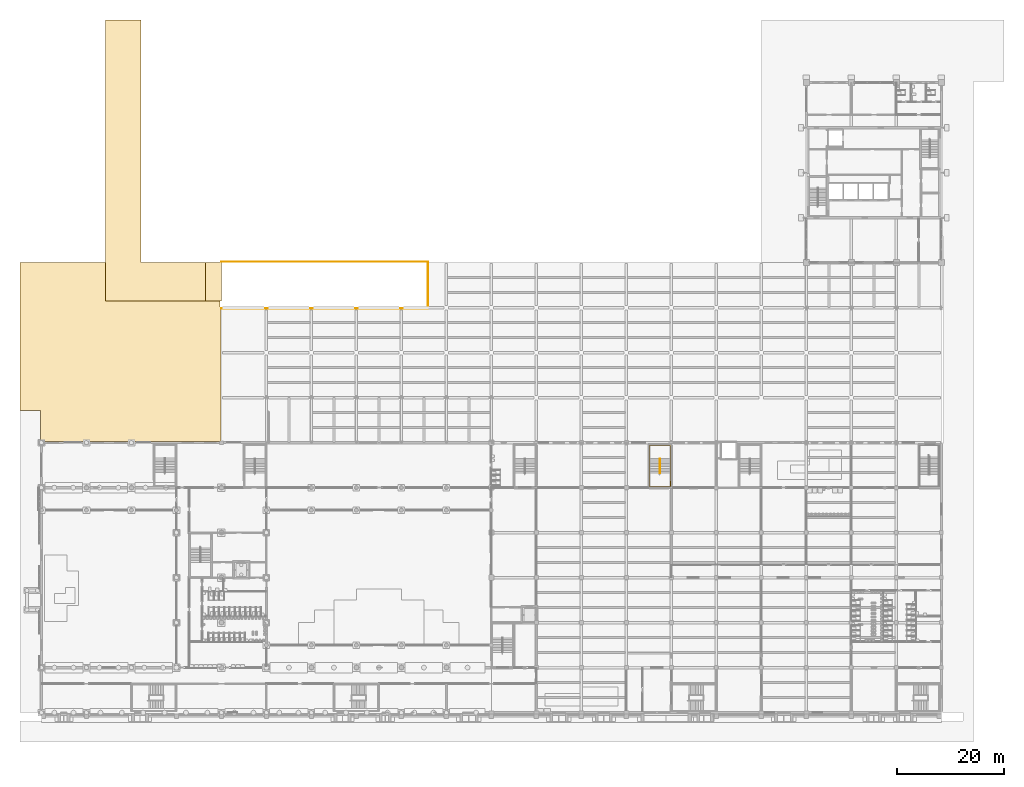
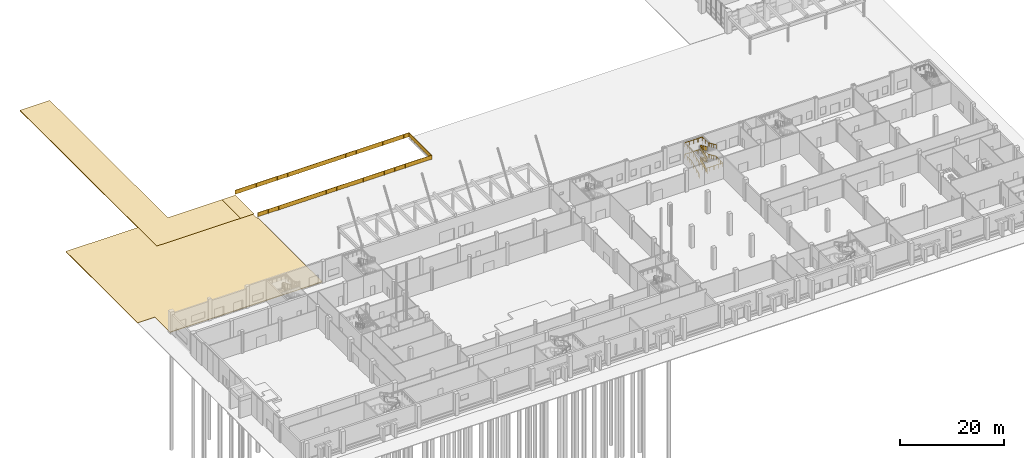
# One storey, part 65 of 74: 6 railings, 3 coverings.
"""IFC4 building model written with IfcOpenShell, lengths in metres."""

from ifc_helpers import new_model, si_unit, direction, frame, origin, origin_2d, place, context, subcontext, project, spatial, polyline, circle, outline, extrude, material, layer, layer_set, type_object, element, save


model = new_model("IFC4")

# Units and contexts
model_context = context("Model", 3, precision=1e-05, world=origin(), true_north=direction((0.0, 1.0)))
body_context = subcontext(model_context, "Body", "Model", "MODEL_VIEW")
ifc_project = project(units=[si_unit("LENGTHUNIT", "METRE"), si_unit("AREAUNIT", "SQUARE_METRE"), si_unit("VOLUMEUNIT", "CUBIC_METRE"), si_unit("PLANEANGLEUNIT", "RADIAN"), si_unit("MASSUNIT", "GRAM", prefix="KILO")], contexts=[model_context])

# Site, building, storey
site_placement = place(None, origin())
site = spatial("IfcSite", under=ifc_project, at=site_placement, CompositionType="ELEMENT")
building_placement = place(site_placement, origin())
building = spatial("IfcBuilding", under=site, at=building_placement, Name="Rulbaag Community and Learning Centre", CompositionType="ELEMENT")
storey_placement = place(building_placement, origin())
storey = spatial("IfcBuildingStorey", under=building, at=storey_placement, Name="L00", CompositionType="ELEMENT", Elevation=0.0)

# Covering
ifc_material_1 = material(Name="Concrete M30", Category="concrete")
ifc_layer_1 = layer(ifc_material_1, 0.050048828125)
ifc_layer_set_1 = layer_set([ifc_layer_1], Name="EN-R1")
covering_type_1 = type_object("IfcCoveringType", Name="EN-R1", PredefinedType="USERDEFINED", material=ifc_layer_set_1)
covering_1_placement = place(storey_placement, frame((0.0, 0.0, -0.050048828125)))
element("IfcCovering", 1, at=covering_1_placement, inside=storey, type_object=covering_type_1, Name="Vehicle ramp R1 entry", ObjectType="ROADWAY", PredefinedType="USERDEFINED", context=body_context, shape_type="SweptSolid", body=[
    extrude(outline(polyline([(30.60009765625, 76.800048828125), (33.60009765625, 76.800048828125), (33.60009765625, 84.0), (30.60009765625, 84.0), (30.60009765625, 76.800048828125)])), origin(), (0.0, 0.0, 1.0), 0.050048828125),
])

# Railings
ifc_material_2 = material(Name="Galvanised mild steel", Category="steel")
railing_type_1 = type_object("IfcRailingType", Name="GR-1100 GUARD 1100", PredefinedType="GUARDRAIL", material=ifc_material_2)
railing_1_placement = place(storey_placement, frame((115.47998046875, 44.71240234375, 0.135009765625)))
element("IfcRailing", 2, at=railing_1_placement, inside=storey, type_object=railing_type_1, Name="Guard SH7 L00 G", PredefinedType="GUARDRAIL", context=body_context, shape_type="SweptSolid", body=[
    extrude(circle(Radius=0.02490234375, at=origin_2d()), frame((0.0, 0.0, 1.0751953125), z_axis=(0.0, 0.911921505175, 0.410364677329), x_axis=(-1.0, 0.0, 0.0)), (0.0, 0.0, 1.0), 2.9609375),
    extrude(circle(Radius=0.02001953125, at=origin_2d()), origin(), (0.0, 0.0, 1.0), 1.050048828125),
    extrude(circle(Radius=0.02001953125, at=origin_2d()), frame((0.0, 0.900146484375, 0.405029296875)), (0.0, 0.0, 1.0), 1.050048828125),
    extrude(circle(Radius=0.02001953125, at=origin_2d()), frame((0.0, 1.800048828125, 0.81005859375)), (0.0, 0.0, 1.0), 1.050048828125),
    extrude(circle(Radius=0.02001953125, at=origin_2d()), frame((0.0, 2.7001953125, 1.215087890625)), (0.0, 0.0, 1.0), 1.050048828125),
    extrude(outline(polyline([(0.0, 0.0), (2.7001953125, 1.215087890625), (2.7001953125, 2.1650390625), (0.0, 0.949951171875), (0.0, 0.0)])), frame((-0.0048828125, 0.0, 0.10009765625), z_axis=(1.0, 0.0, 0.0), x_axis=(0.0, 1.0, 0.0)), (0.0, 0.0, 1.0), 0.010009765625),
])
railing_2_placement = place(storey_placement, frame((115.52001953125, 47.41259765625, 1.485107421875)))
element("IfcRailing", 3, at=railing_2_placement, inside=storey, type_object=railing_type_1, Name="Guard SH7 L00 G2", PredefinedType="GUARDRAIL", context=body_context, shape_type="SweptSolid", body=[
    extrude(circle(Radius=0.02490234375, at=origin_2d()), frame((0.0, 0.0, 1.0751953125), z_axis=(0.0, -0.91195235894, 0.410296106518), x_axis=(1.0, 0.0, 0.0)), (0.0, 0.0, 1.0), 2.9609375),
    extrude(circle(Radius=0.02001953125, at=origin_2d()), origin(), (0.0, 0.0, 1.0), 1.050048828125),
    extrude(circle(Radius=0.02001953125, at=origin_2d()), frame((0.0, -0.900146484375, 0.405029296875)), (0.0, 0.0, 1.0), 1.050048828125),
    extrude(circle(Radius=0.02001953125, at=origin_2d()), frame((0.0, -1.800048828125, 0.809814453125)), (0.0, 0.0, 1.0), 1.050048828125),
    extrude(circle(Radius=0.02001953125, at=origin_2d()), frame((0.0, -2.7001953125, 1.21484375)), (0.0, 0.0, 1.0), 1.050048828125),
    extrude(outline(polyline([(0.0, 0.0), (2.7001953125, 1.21484375), (2.7001953125, 2.164794921875), (0.0, 0.949951171875), (0.0, 0.0)])), frame((0.0048828125, 0.0, 0.10009765625), z_axis=(-1.0, 0.0, 0.0), x_axis=(0.0, -1.0, 0.0)), (0.0, 0.0, 1.0), 0.010009765625),
])
railing_3_placement = place(storey_placement, frame((115.47998046875, 44.71240234375, 2.8349609375)))
element("IfcRailing", 4, at=railing_3_placement, inside=storey, type_object=railing_type_1, Name="Guard SH7 L00 G3", PredefinedType="GUARDRAIL", context=body_context, shape_type="SweptSolid", body=[
    extrude(circle(Radius=0.02490234375, at=origin_2d()), frame((0.0, 0.0, 1.0751953125), z_axis=(0.0, 0.911921505175, 0.410364677329), x_axis=(-1.0, 0.0, 0.0)), (0.0, 0.0, 1.0), 2.9609375),
    extrude(circle(Radius=0.02001953125, at=origin_2d()), origin(), (0.0, 0.0, 1.0), 1.050048828125),
    extrude(circle(Radius=0.02001953125, at=origin_2d()), frame((0.0, 0.900146484375, 0.405029296875)), (0.0, 0.0, 1.0), 1.050048828125),
    extrude(circle(Radius=0.02001953125, at=origin_2d()), frame((0.0, 1.800048828125, 0.81005859375)), (0.0, 0.0, 1.0), 1.050048828125),
    extrude(circle(Radius=0.02001953125, at=origin_2d()), frame((0.0, 2.7001953125, 1.215087890625)), (0.0, 0.0, 1.0), 1.050048828125),
    extrude(outline(polyline([(0.0, 0.0), (2.7001953125, 1.215087890625), (2.7001953125, 2.1650390625), (0.0, 0.949951171875), (0.0, 0.0)])), frame((-0.0048828125, 0.0, 0.10009765625), z_axis=(1.0, 0.0, 0.0), x_axis=(0.0, 1.0, 0.0)), (0.0, 0.0, 1.0), 0.010009765625),
])
railing_4_placement = place(storey_placement, frame((115.52001953125, 47.41259765625, 4.18505859375)))
element("IfcRailing", 5, at=railing_4_placement, inside=storey, type_object=railing_type_1, Name="Guard SH7 L00 G4", PredefinedType="GUARDRAIL", context=body_context, shape_type="SweptSolid", body=[
    extrude(circle(Radius=0.02490234375, at=origin_2d()), frame((0.0, 0.0, 1.0751953125), z_axis=(0.0, -0.91195235894, 0.410296106518), x_axis=(1.0, 0.0, 0.0)), (0.0, 0.0, 1.0), 2.9609375),
    extrude(circle(Radius=0.02001953125, at=origin_2d()), origin(), (0.0, 0.0, 1.0), 1.050048828125),
    extrude(circle(Radius=0.02001953125, at=origin_2d()), frame((0.0, -0.900146484375, 0.405029296875)), (0.0, 0.0, 1.0), 1.050048828125),
    extrude(circle(Radius=0.02001953125, at=origin_2d()), frame((0.0, -1.800048828125, 0.809814453125)), (0.0, 0.0, 1.0), 1.050048828125),
    extrude(circle(Radius=0.02001953125, at=origin_2d()), frame((0.0, -2.7001953125, 1.21484375)), (0.0, 0.0, 1.0), 1.050048828125),
    extrude(outline(polyline([(0.0, 0.0), (2.7001953125, 1.21484375), (2.7001953125, 2.164794921875), (0.0, 0.949951171875), (0.0, 0.0)])), frame((0.0048828125, 0.0, 0.10009765625), z_axis=(-1.0, 0.0, 0.0), x_axis=(0.0, -1.0, 0.0)), (0.0, 0.0, 1.0), 0.010009765625),
])
ifc_material_3 = material(Name="Stainless steel grade 316", Category="steel")
railing_type_2 = type_object("IfcRailingType", Name="HR-900 HANDRAIL 900", PredefinedType="HANDRAIL", material=ifc_material_3)
railing_5_placement = place(storey_placement, frame((113.56005859375, 44.41259765625, 0.0)))
element("IfcRailing", 6, at=railing_5_placement, inside=storey, type_object=railing_type_2, Name="Handrail SH7 L00 O", PredefinedType="HANDRAIL", context=body_context, shape_type="SweptSolid", body=[
    extrude(circle(Radius=0.024169921875, at=origin_2d()), frame((0.0, 0.0, 0.875732421875), z_axis=(0.0, 0.911810325798, 0.41061165323), x_axis=(-1.0, 0.0, 0.0)), (0.0, 0.0, 1.0), 0.328857421875),
    extrude(circle(Radius=0.024169921875, at=origin_2d()), frame((0.0, 0.2998046875, 1.0107421875), z_axis=(0.0, 0.911921505175, 0.410364677329), x_axis=(-1.0, 0.0, 0.0)), (0.0, 0.0, 1.0), 2.9609375),
    extrude(circle(Radius=0.024169921875, at=origin_2d()), frame((0.0, 3.0, 2.225830078125), z_axis=(0.0, 1.0, 0.0), x_axis=(-1.0, 0.0, 0.0)), (0.0, 0.0, 1.0), 2.552490234375),
    extrude(circle(Radius=0.024169921875, at=origin_2d()), frame((0.0, 5.552490234375, 2.225830078125), z_axis=(1.0, 0.0, 0.0), x_axis=(0.0, 1.0, 0.0)), (0.0, 0.0, 1.0), 3.8798828125),
    extrude(circle(Radius=0.024169921875, at=origin_2d()), frame((3.8798828125, 5.552490234375, 2.225830078125), z_axis=(0.0, -1.0, 0.0), x_axis=(1.0, 0.0, 0.0)), (0.0, 0.0, 1.0), 2.252685546875),
    extrude(circle(Radius=0.024169921875, at=origin_2d()), frame((3.8798828125, 3.2998046875, 2.225830078125), z_axis=(0.0, -0.911810325798, 0.41061165323), x_axis=(1.0, 0.0, 0.0)), (0.0, 0.0, 1.0), 0.328857421875),
    extrude(circle(Radius=0.024169921875, at=origin_2d()), frame((3.8798828125, 3.0, 2.36083984375), z_axis=(0.0, -0.91195235894, 0.410296106518), x_axis=(1.0, 0.0, 0.0)), (0.0, 0.0, 1.0), 2.9609375),
    extrude(circle(Radius=0.024169921875, at=origin_2d()), frame((3.8798828125, 0.2998046875, 3.57568359375), z_axis=(0.0, -1.0, 0.0), x_axis=(1.0, 0.0, 0.0)), (0.0, 0.0, 1.0), 2.552490234375),
    extrude(circle(Radius=0.024169921875, at=origin_2d()), frame((3.8798828125, -2.252685546875, 3.57568359375), z_axis=(-1.0, 0.0, 0.0), x_axis=(0.0, -1.0, 0.0)), (0.0, 0.0, 1.0), 3.8798828125),
    extrude(circle(Radius=0.024169921875, at=origin_2d()), frame((0.0, -2.252685546875, 3.57568359375), z_axis=(0.0, 1.0, 0.0), x_axis=(-1.0, 0.0, 0.0)), (0.0, 0.0, 1.0), 2.252685546875),
    extrude(circle(Radius=0.024169921875, at=origin_2d()), frame((0.0, 0.0, 3.57568359375), z_axis=(0.0, 0.911810325798, 0.41061165323), x_axis=(-1.0, 0.0, 0.0)), (0.0, 0.0, 1.0), 0.328857421875),
    extrude(circle(Radius=0.024169921875, at=origin_2d()), frame((0.0, 0.2998046875, 3.710693359375), z_axis=(0.0, 0.911921505175, 0.410364677329), x_axis=(-1.0, 0.0, 0.0)), (0.0, 0.0, 1.0), 2.9609375),
    extrude(circle(Radius=0.024169921875, at=origin_2d()), frame((0.0, 3.0, 4.92578125), z_axis=(0.0, 1.0, 0.0), x_axis=(-1.0, 0.0, 0.0)), (0.0, 0.0, 1.0), 2.552490234375),
    extrude(circle(Radius=0.024169921875, at=origin_2d()), frame((0.0, 5.552490234375, 4.92578125), z_axis=(1.0, 0.0, 0.0), x_axis=(0.0, 1.0, 0.0)), (0.0, 0.0, 1.0), 3.8798828125),
    extrude(circle(Radius=0.024169921875, at=origin_2d()), frame((3.8798828125, 5.552490234375, 4.92578125), z_axis=(0.0, -1.0, 0.0), x_axis=(1.0, 0.0, 0.0)), (0.0, 0.0, 1.0), 2.252685546875),
    extrude(circle(Radius=0.024169921875, at=origin_2d()), frame((3.8798828125, 3.2998046875, 4.92578125), z_axis=(0.0, -0.911810325798, 0.41061165323), x_axis=(1.0, 0.0, 0.0)), (0.0, 0.0, 1.0), 0.328857421875),
    extrude(circle(Radius=0.024169921875, at=origin_2d()), frame((3.8798828125, 3.0, 5.060791015625), z_axis=(0.0, -0.91195235894, 0.410296106518), x_axis=(1.0, 0.0, 0.0)), (0.0, 0.0, 1.0), 2.9609375),
    extrude(circle(Radius=0.008056640625, at=origin_2d()), origin(), (0.0, 0.0, 1.0), 0.8515625),
    extrude(circle(Radius=0.008056640625, at=origin_2d()), frame((0.0, 0.2998046875, 0.135009765625)), (0.0, 0.0, 1.0), 0.8515625),
    extrude(circle(Radius=0.008056640625, at=origin_2d()), frame((0.0, 1.199951171875, 0.5400390625)), (0.0, 0.0, 1.0), 0.8515625),
    extrude(circle(Radius=0.008056640625, at=origin_2d()), frame((0.0, 2.099853515625, 0.945068359375)), (0.0, 0.0, 1.0), 0.8515625),
    extrude(circle(Radius=0.008056640625, at=origin_2d()), frame((0.0, 3.0, 1.35009765625)), (0.0, 0.0, 1.0), 0.8515625),
    extrude(circle(Radius=0.008056640625, at=origin_2d()), frame((0.0, 3.850830078125, 1.35009765625)), (0.0, 0.0, 1.0), 0.8515625),
    extrude(circle(Radius=0.008056640625, at=origin_2d()), frame((0.0, 4.70166015625, 1.35009765625)), (0.0, 0.0, 1.0), 0.8515625),
    extrude(circle(Radius=0.008056640625, at=origin_2d()), frame((0.0, 5.552490234375, 1.35009765625)), (0.0, 0.0, 1.0), 0.8515625),
    extrude(circle(Radius=0.008056640625, at=origin_2d()), frame((0.969970703125, 5.552490234375, 1.35009765625)), (0.0, 0.0, 1.0), 0.8515625),
    extrude(circle(Radius=0.008056640625, at=origin_2d()), frame((1.93994140625, 5.552490234375, 1.35009765625)), (0.0, 0.0, 1.0), 0.8515625),
    extrude(circle(Radius=0.008056640625, at=origin_2d()), frame((2.909912109375, 5.552490234375, 1.35009765625)), (0.0, 0.0, 1.0), 0.8515625),
    extrude(circle(Radius=0.008056640625, at=origin_2d()), frame((3.8798828125, 5.552490234375, 1.35009765625)), (0.0, 0.0, 1.0), 0.8515625),
    extrude(circle(Radius=0.008056640625, at=origin_2d()), frame((3.8798828125, 4.42626953125, 1.35009765625)), (0.0, 0.0, 1.0), 0.8515625),
    extrude(circle(Radius=0.008056640625, at=origin_2d()), frame((3.8798828125, 3.2998046875, 1.35009765625)), (0.0, 0.0, 1.0), 0.8515625),
    extrude(circle(Radius=0.008056640625, at=origin_2d()), frame((3.8798828125, 3.0, 1.485107421875)), (0.0, 0.0, 1.0), 0.8515625),
    extrude(circle(Radius=0.008056640625, at=origin_2d()), frame((3.8798828125, 2.099853515625, 1.89013671875)), (0.0, 0.0, 1.0), 0.8515625),
    extrude(circle(Radius=0.008056640625, at=origin_2d()), frame((3.8798828125, 1.199951171875, 2.294921875)), (0.0, 0.0, 1.0), 0.8515625),
    extrude(circle(Radius=0.008056640625, at=origin_2d()), frame((3.8798828125, 0.2998046875, 2.699951171875)), (0.0, 0.0, 1.0), 0.8515625),
    extrude(circle(Radius=0.008056640625, at=origin_2d()), frame((3.8798828125, -0.551025390625, 2.699951171875)), (0.0, 0.0, 1.0), 0.8515625),
    extrude(circle(Radius=0.008056640625, at=origin_2d()), frame((3.8798828125, -1.40185546875, 2.699951171875)), (0.0, 0.0, 1.0), 0.8515625),
    extrude(circle(Radius=0.008056640625, at=origin_2d()), frame((3.8798828125, -2.252685546875, 2.699951171875)), (0.0, 0.0, 1.0), 0.8515625),
    extrude(circle(Radius=0.008056640625, at=origin_2d()), frame((2.909912109375, -2.252685546875, 2.699951171875)), (0.0, 0.0, 1.0), 0.8515625),
    extrude(circle(Radius=0.008056640625, at=origin_2d()), frame((1.93994140625, -2.252685546875, 2.699951171875)), (0.0, 0.0, 1.0), 0.8515625),
    extrude(circle(Radius=0.008056640625, at=origin_2d()), frame((0.969970703125, -2.252685546875, 2.699951171875)), (0.0, 0.0, 1.0), 0.8515625),
    extrude(circle(Radius=0.008056640625, at=origin_2d()), frame((0.0, -2.252685546875, 2.699951171875)), (0.0, 0.0, 1.0), 0.8515625),
    extrude(circle(Radius=0.008056640625, at=origin_2d()), frame((0.0, -1.12646484375, 2.699951171875)), (0.0, 0.0, 1.0), 0.8515625),
    extrude(circle(Radius=0.008056640625, at=origin_2d()), frame((0.0, 0.0, 2.699951171875)), (0.0, 0.0, 1.0), 0.8515625),
    extrude(circle(Radius=0.008056640625, at=origin_2d()), frame((0.0, 0.2998046875, 2.8349609375)), (0.0, 0.0, 1.0), 0.8515625),
    extrude(circle(Radius=0.008056640625, at=origin_2d()), frame((0.0, 1.199951171875, 3.239990234375)), (0.0, 0.0, 1.0), 0.8515625),
    extrude(circle(Radius=0.008056640625, at=origin_2d()), frame((0.0, 2.099853515625, 3.64501953125)), (0.0, 0.0, 1.0), 0.8515625),
    extrude(circle(Radius=0.008056640625, at=origin_2d()), frame((0.0, 3.0, 4.050048828125)), (0.0, 0.0, 1.0), 0.8515625),
    extrude(circle(Radius=0.008056640625, at=origin_2d()), frame((0.0, 3.850830078125, 4.050048828125)), (0.0, 0.0, 1.0), 0.8515625),
    extrude(circle(Radius=0.008056640625, at=origin_2d()), frame((0.0, 4.70166015625, 4.050048828125)), (0.0, 0.0, 1.0), 0.8515625),
    extrude(circle(Radius=0.008056640625, at=origin_2d()), frame((0.0, 5.552490234375, 4.050048828125)), (0.0, 0.0, 1.0), 0.8515625),
    extrude(circle(Radius=0.008056640625, at=origin_2d()), frame((0.969970703125, 5.552490234375, 4.050048828125)), (0.0, 0.0, 1.0), 0.8515625),
    extrude(circle(Radius=0.008056640625, at=origin_2d()), frame((1.93994140625, 5.552490234375, 4.050048828125)), (0.0, 0.0, 1.0), 0.8515625),
    extrude(circle(Radius=0.008056640625, at=origin_2d()), frame((2.909912109375, 5.552490234375, 4.050048828125)), (0.0, 0.0, 1.0), 0.8515625),
    extrude(circle(Radius=0.008056640625, at=origin_2d()), frame((3.8798828125, 5.552490234375, 4.050048828125)), (0.0, 0.0, 1.0), 0.8515625),
    extrude(circle(Radius=0.008056640625, at=origin_2d()), frame((3.8798828125, 4.42626953125, 4.050048828125)), (0.0, 0.0, 1.0), 0.8515625),
    extrude(circle(Radius=0.008056640625, at=origin_2d()), frame((3.8798828125, 3.2998046875, 4.050048828125)), (0.0, 0.0, 1.0), 0.8515625),
    extrude(circle(Radius=0.008056640625, at=origin_2d()), frame((3.8798828125, 3.0, 4.18505859375)), (0.0, 0.0, 1.0), 0.8515625),
    extrude(circle(Radius=0.008056640625, at=origin_2d()), frame((3.8798828125, 2.099853515625, 4.590087890625)), (0.0, 0.0, 1.0), 0.8515625),
    extrude(circle(Radius=0.008056640625, at=origin_2d()), frame((3.8798828125, 1.199951171875, 4.994873046875)), (0.0, 0.0, 1.0), 0.8515625),
    extrude(circle(Radius=0.008056640625, at=origin_2d()), frame((3.8798828125, 0.2998046875, 5.39990234375)), (0.0, 0.0, 1.0), 0.8515625),
])

# Coverings
ifc_layer_2 = layer(ifc_material_1, 0.14990234375)
ifc_layer_set_2 = layer_set([ifc_layer_2], Name="PV-150")
covering_type_2 = type_object("IfcCoveringType", Name="PV-150", PredefinedType="USERDEFINED", material=ifc_layer_set_2)
covering_2_placement = place(storey_placement, frame((0.0, 0.0, -0.14990234375)))
element("IfcCovering", 7, at=covering_2_placement, inside=storey, type_object=covering_type_2, Name="External paving", ObjectType="PAVING", PredefinedType="USERDEFINED", context=body_context, shape_type="SweptSolid", body=[
    extrude(outline(polyline([(12.0, 84.0), (12.0, 76.800048828125), (18.60009765625, 76.800048828125), (30.60009765625, 76.800048828125), (33.300048828125, 76.800048828125), (33.300048828125, 75.60009765625), (33.301025390625, 75.571044921875), (33.305908203125, 75.541015625), (33.31298828125, 75.512939453125), (33.322998046875, 75.485107421875), (33.3349609375, 75.458984375), (33.35107421875, 75.43310546875), (33.367919921875, 75.409912109375), (33.387939453125, 75.387939453125), (33.409912109375, 75.367919921875), (33.43310546875, 75.35107421875), (33.458984375, 75.3349609375), (33.485107421875, 75.322998046875), (33.512939453125, 75.31298828125), (33.541015625, 75.305908203125), (33.550048828125, 75.303955078125), (33.550048828125, 50.60009765625), (0.0, 50.60009765625), (-0.02001953125, 50.59912109375), (-0.0390625, 50.595947265625), (-0.05810546875, 50.591064453125), (-0.076904296875, 50.5849609375), (-0.093994140625, 50.575927734375), (-0.111083984375, 50.56591796875), (-0.126953125, 50.554931640625), (-0.14111328125, 50.541015625), (-0.155029296875, 50.527099609375), (-0.166015625, 50.510986328125), (-0.176025390625, 50.493896484375), (-0.18505859375, 50.47705078125), (-0.19091796875, 50.4580078125), (-0.196044921875, 50.43896484375), (-0.198974609375, 50.419921875), (-0.199951171875, 50.39990234375), (-0.199951171875, 56.39990234375), (-4.0, 56.39990234375), (-4.0, 84.0), (12.0, 84.0)])), origin(), (0.0, 0.0, 1.0), 0.14990234375),
])
ifc_layer_3 = layer(ifc_material_1, 0.199951171875)
ifc_layer_set_3 = layer_set([ifc_layer_3], Name="PV-200")
covering_type_3 = type_object("IfcCoveringType", Name="PV-200", PredefinedType="USERDEFINED", material=ifc_layer_set_3)
covering_3_placement = place(storey_placement, frame((0.0, 0.0, -0.199951171875)))
element("IfcCovering", 8, at=covering_3_placement, inside=storey, type_object=covering_type_3, Name="External paving", ObjectType="ROADWAY", PredefinedType="USERDEFINED", context=body_context, shape_type="SweptSolid", body=[
    extrude(outline(polyline([(18.60009765625, 76.800048828125), (12.0, 76.800048828125), (12.0, 84.0), (12.0, 129.300048828125), (18.60009765625, 129.300048828125), (18.60009765625, 84.0), (30.60009765625, 84.0), (30.60009765625, 76.800048828125), (18.60009765625, 76.800048828125)])), origin(), (0.0, 0.0, 1.0), 0.199951171875),
])

# Railing
railing_type_3 = type_object("IfcRailingType", Name="RL-110", PredefinedType="GUARDRAIL", material=ifc_material_2)
railing_6_placement = place(storey_placement, frame((33.60009765625, 75.449951171875, 0.0)))
element("IfcRailing", 9, at=railing_6_placement, inside=storey, type_object=railing_type_3, Name="Guard at the car ramp opening", PredefinedType="GUARDRAIL", context=body_context, shape_type="SweptSolid", body=[
    extrude(circle(Radius=0.02490234375, at=origin_2d()), frame((0.0, 0.0, 1.0751953125), z_axis=(1.0, 0.0, 0.0), x_axis=(0.0, 1.0, 0.0)), (0.0, 0.0, 1.0), 38.5498046875),
    extrude(circle(Radius=0.02490234375, at=origin_2d()), frame((38.5498046875, 0.0, 1.0751953125), z_axis=(0.0, 1.0, 0.0), x_axis=(-1.0, 0.0, 0.0)), (0.0, 0.0, 1.0), 8.699951171875),
    extrude(circle(Radius=0.02490234375, at=origin_2d()), frame((38.5498046875, 8.699951171875, 1.0751953125), z_axis=(-1.0, 0.0, 0.0), x_axis=(0.0, -1.0, 0.0)), (0.0, 0.0, 1.0), 38.5498046875),
    extrude(circle(Radius=0.02001953125, at=origin_2d()), origin(), (0.0, 0.0, 1.0), 1.050048828125),
    extrude(circle(Radius=0.02001953125, at=origin_2d()), frame((1.168212890625, 0.0, 0.0)), (0.0, 0.0, 1.0), 1.050048828125),
    extrude(circle(Radius=0.02001953125, at=origin_2d()), frame((2.33642578125, 0.0, 0.0)), (0.0, 0.0, 1.0), 1.050048828125),
    extrude(circle(Radius=0.02001953125, at=origin_2d()), frame((3.504638671875, 0.0, 0.0)), (0.0, 0.0, 1.0), 1.050048828125),
    extrude(circle(Radius=0.02001953125, at=origin_2d()), frame((4.672607421875, 0.0, 0.0)), (0.0, 0.0, 1.0), 1.050048828125),
    extrude(circle(Radius=0.02001953125, at=origin_2d()), frame((5.8408203125, 0.0, 0.0)), (0.0, 0.0, 1.0), 1.050048828125),
    extrude(circle(Radius=0.02001953125, at=origin_2d()), frame((7.009033203125, 0.0, 0.0)), (0.0, 0.0, 1.0), 1.050048828125),
    extrude(circle(Radius=0.02001953125, at=origin_2d()), frame((8.17724609375, 0.0, 0.0)), (0.0, 0.0, 1.0), 1.050048828125),
    extrude(circle(Radius=0.02001953125, at=origin_2d()), frame((9.345458984375, 0.0, 0.0)), (0.0, 0.0, 1.0), 1.050048828125),
    extrude(circle(Radius=0.02001953125, at=origin_2d()), frame((10.513671875, 0.0, 0.0)), (0.0, 0.0, 1.0), 1.050048828125),
    extrude(circle(Radius=0.02001953125, at=origin_2d()), frame((11.681640625, 0.0, 0.0)), (0.0, 0.0, 1.0), 1.050048828125),
    extrude(circle(Radius=0.02001953125, at=origin_2d()), frame((12.849853515625, 0.0, 0.0)), (0.0, 0.0, 1.0), 1.050048828125),
    extrude(circle(Radius=0.02001953125, at=origin_2d()), frame((14.01806640625, 0.0, 0.0)), (0.0, 0.0, 1.0), 1.050048828125),
    extrude(circle(Radius=0.02001953125, at=origin_2d()), frame((15.186279296875, 0.0, 0.0)), (0.0, 0.0, 1.0), 1.050048828125),
    extrude(circle(Radius=0.02001953125, at=origin_2d()), frame((16.3544921875, 0.0, 0.0)), (0.0, 0.0, 1.0), 1.050048828125),
    extrude(circle(Radius=0.02001953125, at=origin_2d()), frame((17.522705078125, 0.0, 0.0)), (0.0, 0.0, 1.0), 1.050048828125),
    extrude(circle(Radius=0.02001953125, at=origin_2d()), frame((18.69091796875, 0.0, 0.0)), (0.0, 0.0, 1.0), 1.050048828125),
    extrude(circle(Radius=0.02001953125, at=origin_2d()), frame((19.85888671875, 0.0, 0.0)), (0.0, 0.0, 1.0), 1.050048828125),
    extrude(circle(Radius=0.02001953125, at=origin_2d()), frame((21.027099609375, 0.0, 0.0)), (0.0, 0.0, 1.0), 1.050048828125),
    extrude(circle(Radius=0.02001953125, at=origin_2d()), frame((22.1953125, 0.0, 0.0)), (0.0, 0.0, 1.0), 1.050048828125),
    extrude(circle(Radius=0.02001953125, at=origin_2d()), frame((23.363525390625, 0.0, 0.0)), (0.0, 0.0, 1.0), 1.050048828125),
    extrude(circle(Radius=0.02001953125, at=origin_2d()), frame((24.53173828125, 0.0, 0.0)), (0.0, 0.0, 1.0), 1.050048828125),
    extrude(circle(Radius=0.02001953125, at=origin_2d()), frame((25.699951171875, 0.0, 0.0)), (0.0, 0.0, 1.0), 1.050048828125),
    extrude(circle(Radius=0.02001953125, at=origin_2d()), frame((26.8681640625, 0.0, 0.0)), (0.0, 0.0, 1.0), 1.050048828125),
    extrude(circle(Radius=0.02001953125, at=origin_2d()), frame((28.0361328125, 0.0, 0.0)), (0.0, 0.0, 1.0), 1.050048828125),
    extrude(circle(Radius=0.02001953125, at=origin_2d()), frame((29.204345703125, 0.0, 0.0)), (0.0, 0.0, 1.0), 1.050048828125),
    extrude(circle(Radius=0.02001953125, at=origin_2d()), frame((30.37255859375, 0.0, 0.0)), (0.0, 0.0, 1.0), 1.050048828125),
    extrude(circle(Radius=0.02001953125, at=origin_2d()), frame((31.540771484375, 0.0, 0.0)), (0.0, 0.0, 1.0), 1.050048828125),
    extrude(circle(Radius=0.02001953125, at=origin_2d()), frame((32.708984375, 0.0, 0.0)), (0.0, 0.0, 1.0), 1.050048828125),
    extrude(circle(Radius=0.02001953125, at=origin_2d()), frame((33.877197265625, 0.0, 0.0)), (0.0, 0.0, 1.0), 1.050048828125),
    extrude(circle(Radius=0.02001953125, at=origin_2d()), frame((35.045166015625, 0.0, 0.0)), (0.0, 0.0, 1.0), 1.050048828125),
    extrude(circle(Radius=0.02001953125, at=origin_2d()), frame((36.21337890625, 0.0, 0.0)), (0.0, 0.0, 1.0), 1.050048828125),
    extrude(circle(Radius=0.02001953125, at=origin_2d()), frame((37.381591796875, 0.0, 0.0)), (0.0, 0.0, 1.0), 1.050048828125),
    extrude(circle(Radius=0.02001953125, at=origin_2d()), frame((38.5498046875, 0.0, 0.0)), (0.0, 0.0, 1.0), 1.050048828125),
    extrude(circle(Radius=0.02001953125, at=origin_2d()), frame((38.5498046875, 1.08740234375, 0.0)), (0.0, 0.0, 1.0), 1.050048828125),
    extrude(circle(Radius=0.02001953125, at=origin_2d()), frame((38.5498046875, 2.175048828125, 0.0)), (0.0, 0.0, 1.0), 1.050048828125),
    extrude(circle(Radius=0.02001953125, at=origin_2d()), frame((38.5498046875, 3.262451171875, 0.0)), (0.0, 0.0, 1.0), 1.050048828125),
    extrude(circle(Radius=0.02001953125, at=origin_2d()), frame((38.5498046875, 4.35009765625, 0.0)), (0.0, 0.0, 1.0), 1.050048828125),
    extrude(circle(Radius=0.02001953125, at=origin_2d()), frame((38.5498046875, 5.4375, 0.0)), (0.0, 0.0, 1.0), 1.050048828125),
    extrude(circle(Radius=0.02001953125, at=origin_2d()), frame((38.5498046875, 6.52490234375, 0.0)), (0.0, 0.0, 1.0), 1.050048828125),
    extrude(circle(Radius=0.02001953125, at=origin_2d()), frame((38.5498046875, 7.612548828125, 0.0)), (0.0, 0.0, 1.0), 1.050048828125),
    extrude(circle(Radius=0.02001953125, at=origin_2d()), frame((38.5498046875, 8.699951171875, 0.0)), (0.0, 0.0, 1.0), 1.050048828125),
    extrude(circle(Radius=0.02001953125, at=origin_2d()), frame((37.381591796875, 8.699951171875, 0.0)), (0.0, 0.0, 1.0), 1.050048828125),
    extrude(circle(Radius=0.02001953125, at=origin_2d()), frame((36.21337890625, 8.699951171875, 0.0)), (0.0, 0.0, 1.0), 1.050048828125),
    extrude(circle(Radius=0.02001953125, at=origin_2d()), frame((35.045166015625, 8.699951171875, 0.0)), (0.0, 0.0, 1.0), 1.050048828125),
    extrude(circle(Radius=0.02001953125, at=origin_2d()), frame((33.877197265625, 8.699951171875, 0.0)), (0.0, 0.0, 1.0), 1.050048828125),
    extrude(circle(Radius=0.02001953125, at=origin_2d()), frame((32.708984375, 8.699951171875, 0.0)), (0.0, 0.0, 1.0), 1.050048828125),
    extrude(circle(Radius=0.02001953125, at=origin_2d()), frame((31.540771484375, 8.699951171875, 0.0)), (0.0, 0.0, 1.0), 1.050048828125),
    extrude(circle(Radius=0.02001953125, at=origin_2d()), frame((30.37255859375, 8.699951171875, 0.0)), (0.0, 0.0, 1.0), 1.050048828125),
    extrude(circle(Radius=0.02001953125, at=origin_2d()), frame((29.204345703125, 8.699951171875, 0.0)), (0.0, 0.0, 1.0), 1.050048828125),
    extrude(circle(Radius=0.02001953125, at=origin_2d()), frame((28.0361328125, 8.699951171875, 0.0)), (0.0, 0.0, 1.0), 1.050048828125),
    extrude(circle(Radius=0.02001953125, at=origin_2d()), frame((26.8681640625, 8.699951171875, 0.0)), (0.0, 0.0, 1.0), 1.050048828125),
    extrude(circle(Radius=0.02001953125, at=origin_2d()), frame((25.699951171875, 8.699951171875, 0.0)), (0.0, 0.0, 1.0), 1.050048828125),
    extrude(circle(Radius=0.02001953125, at=origin_2d()), frame((24.53173828125, 8.699951171875, 0.0)), (0.0, 0.0, 1.0), 1.050048828125),
    extrude(circle(Radius=0.02001953125, at=origin_2d()), frame((23.363525390625, 8.699951171875, 0.0)), (0.0, 0.0, 1.0), 1.050048828125),
    extrude(circle(Radius=0.02001953125, at=origin_2d()), frame((22.1953125, 8.699951171875, 0.0)), (0.0, 0.0, 1.0), 1.050048828125),
    extrude(circle(Radius=0.02001953125, at=origin_2d()), frame((21.027099609375, 8.699951171875, 0.0)), (0.0, 0.0, 1.0), 1.050048828125),
    extrude(circle(Radius=0.02001953125, at=origin_2d()), frame((19.85888671875, 8.699951171875, 0.0)), (0.0, 0.0, 1.0), 1.050048828125),
    extrude(circle(Radius=0.02001953125, at=origin_2d()), frame((18.69091796875, 8.699951171875, 0.0)), (0.0, 0.0, 1.0), 1.050048828125),
    extrude(circle(Radius=0.02001953125, at=origin_2d()), frame((17.522705078125, 8.699951171875, 0.0)), (0.0, 0.0, 1.0), 1.050048828125),
    extrude(circle(Radius=0.02001953125, at=origin_2d()), frame((16.3544921875, 8.699951171875, 0.0)), (0.0, 0.0, 1.0), 1.050048828125),
    extrude(circle(Radius=0.02001953125, at=origin_2d()), frame((15.186279296875, 8.699951171875, 0.0)), (0.0, 0.0, 1.0), 1.050048828125),
    extrude(circle(Radius=0.02001953125, at=origin_2d()), frame((14.01806640625, 8.699951171875, 0.0)), (0.0, 0.0, 1.0), 1.050048828125),
    extrude(circle(Radius=0.02001953125, at=origin_2d()), frame((12.849853515625, 8.699951171875, 0.0)), (0.0, 0.0, 1.0), 1.050048828125),
    extrude(circle(Radius=0.02001953125, at=origin_2d()), frame((11.681640625, 8.699951171875, 0.0)), (0.0, 0.0, 1.0), 1.050048828125),
    extrude(circle(Radius=0.02001953125, at=origin_2d()), frame((10.513671875, 8.699951171875, 0.0)), (0.0, 0.0, 1.0), 1.050048828125),
    extrude(circle(Radius=0.02001953125, at=origin_2d()), frame((9.345458984375, 8.699951171875, 0.0)), (0.0, 0.0, 1.0), 1.050048828125),
    extrude(circle(Radius=0.02001953125, at=origin_2d()), frame((8.17724609375, 8.699951171875, 0.0)), (0.0, 0.0, 1.0), 1.050048828125),
    extrude(circle(Radius=0.02001953125, at=origin_2d()), frame((7.009033203125, 8.699951171875, 0.0)), (0.0, 0.0, 1.0), 1.050048828125),
    extrude(circle(Radius=0.02001953125, at=origin_2d()), frame((5.8408203125, 8.699951171875, 0.0)), (0.0, 0.0, 1.0), 1.050048828125),
    extrude(circle(Radius=0.02001953125, at=origin_2d()), frame((4.672607421875, 8.699951171875, 0.0)), (0.0, 0.0, 1.0), 1.050048828125),
    extrude(circle(Radius=0.02001953125, at=origin_2d()), frame((3.504638671875, 8.699951171875, 0.0)), (0.0, 0.0, 1.0), 1.050048828125),
    extrude(circle(Radius=0.02001953125, at=origin_2d()), frame((2.33642578125, 8.699951171875, 0.0)), (0.0, 0.0, 1.0), 1.050048828125),
    extrude(circle(Radius=0.02001953125, at=origin_2d()), frame((1.168212890625, 8.699951171875, 0.0)), (0.0, 0.0, 1.0), 1.050048828125),
    extrude(circle(Radius=0.02001953125, at=origin_2d()), frame((0.0, 8.699951171875, 0.0)), (0.0, 0.0, 1.0), 1.050048828125),
    extrude(outline(polyline([(0.0, 0.0), (38.5498046875, 0.0), (38.5498046875, 0.949951171875), (0.0, 0.949951171875), (0.0, 0.0)])), frame((0.0, 0.0048828125, 0.10009765625), z_axis=(0.0, -1.0, 0.0), x_axis=(1.0, 0.0, 0.0)), (0.0, 0.0, 1.0), 0.010009765625),
    extrude(outline(polyline([(0.0, 0.0), (8.699951171875, 0.0), (8.699951171875, 0.949951171875), (0.0, 0.949951171875), (0.0, 0.0)])), frame((38.544921875, 0.0, 0.10009765625), z_axis=(1.0, 0.0, 0.0), x_axis=(0.0, 1.0, 0.0)), (0.0, 0.0, 1.0), 0.010009765625),
    extrude(outline(polyline([(0.0, 0.0), (38.5498046875, 0.0), (38.5498046875, 0.949951171875), (0.0, 0.949951171875), (0.0, 0.0)])), frame((38.5498046875, 8.69482421875, 0.10009765625), z_axis=(0.0, 1.0, 0.0), x_axis=(-1.0, 0.0, 0.0)), (0.0, 0.0, 1.0), 0.010009765625),
])

save(model, "model.ifc")
